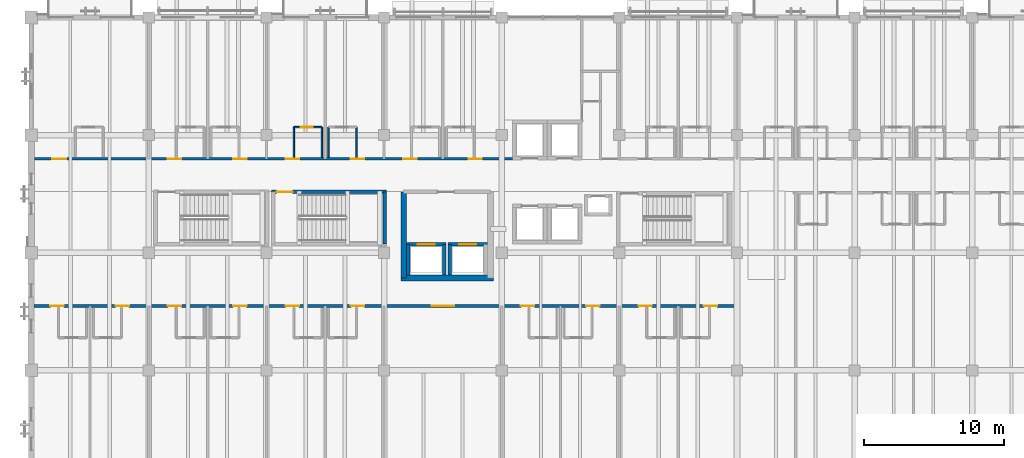
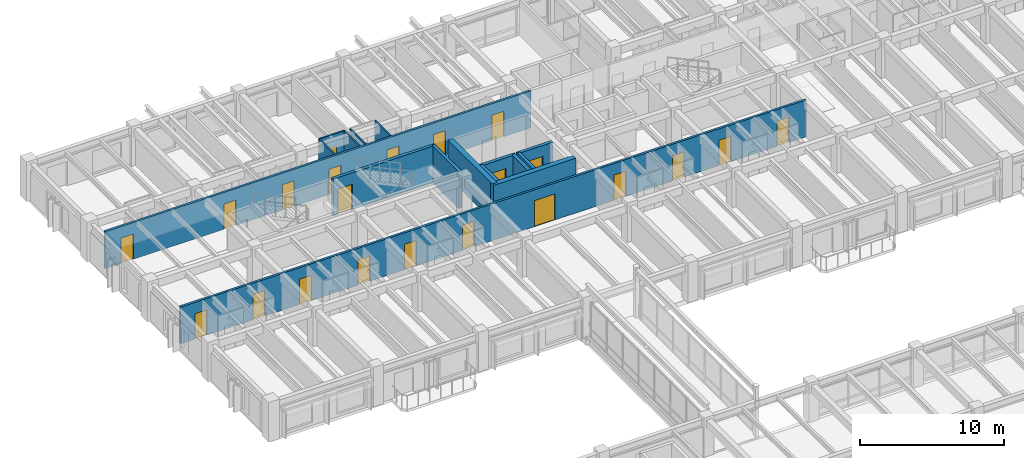
# One storey, part 86 of 123: 22 doors, 16 walls, 22 openings.
"""IFC4 building model written with IfcOpenShell, lengths in metres."""

from ifc_helpers import new_model, si_unit, direction, frame, frame_2d, origin, place, context, subcontext, project, spatial, rectangle, extrude, material, layer, layer_set, type_object, element, fill, save


model = new_model("IFC4")

# Units and contexts
model_context = context("Model", 3, precision=1e-05, world=origin(), true_north=direction((0.0, 1.0)))
body_context = subcontext(model_context, "Body", "Model", "MODEL_VIEW")
ifc_project = project(units=[si_unit("LENGTHUNIT", "METRE"), si_unit("AREAUNIT", "SQUARE_METRE"), si_unit("VOLUMEUNIT", "CUBIC_METRE"), si_unit("PLANEANGLEUNIT", "RADIAN"), si_unit("MASSUNIT", "GRAM", prefix="KILO")], contexts=[model_context])

# Site, building, storey
site_placement = place(None, origin())
site = spatial("IfcSite", under=ifc_project, at=site_placement, CompositionType="ELEMENT")
building_placement = place(site_placement, origin())
building = spatial("IfcBuilding", under=site, at=building_placement, Name="Cumbredor Promenade Congress Hotel", CompositionType="ELEMENT")
storey_placement = place(building_placement, frame((0.0, 0.0, 11.760009765625)))
storey = spatial("IfcBuildingStorey", under=building, at=storey_placement, Name="L03", CompositionType="ELEMENT", Elevation=11.760009765625)

# Walls
ifc_material_1 = material(Name="Concrete C50/60", Category="concrete")
ifc_layer_1 = layer(ifc_material_1, 0.39990234375, Name="Concrete C50/60", Category="concrete")
ifc_layer_set_1 = layer_set([ifc_layer_1], Name="Concrete C50/60")
wall_type_1 = type_object("IfcWallType", Name="Seismic Shear Core Wall 400mm", PredefinedType="SHEAR", material=ifc_layer_set_1)
wall_1_placement = place(storey_placement, frame((26.60009765625, 99.0, 0.0), z_axis=(0.0, 0.0, 1.0), x_axis=(0.0, 1.0, 0.0)))
element("IfcWall", 1, at=wall_1_placement, inside=storey, type_object=wall_type_1, Name="L03 Hotel Core Shear Wall W1", PredefinedType="SHEAR", context=body_context, shape_type="SweptSolid", body=[
    extrude(rectangle(XDim=6.14990234375, YDim=0.39990234375, at=frame_2d((3.074951171875, 0.0))), origin(), (0.0, 0.0, 1.0), 3.119873046875),
])
wall_2_placement = place(storey_placement, frame((26.39990234375, 99.0, 0.0), z_axis=(0.0, 0.0, 1.0), x_axis=(1.0, 0.0, 0.0)))
element("IfcWall", 2, at=wall_2_placement, inside=storey, type_object=wall_type_1, Name="L03 Hotel Core Shear Wall S1", PredefinedType="SHEAR", context=body_context, shape_type="SweptSolid", body=[
    extrude(rectangle(XDim=6.60009765625, YDim=0.39990234375, at=frame_2d((3.300048828125, 0.0))), origin(), (0.0, 0.0, 1.0), 3.119873046875),
])

# Wall, opening, door
ifc_material_2 = material(Name="Moisture-resistant gypsum board on steel studs", Category="steel")
ifc_layer_2 = layer(ifc_material_2, 0.114990234375, Name="Moisture-resistant gypsum board on steel studs", Category="steel")
ifc_layer_set_2 = layer_set([ifc_layer_2], Name="Moisture-resistant gypsum board on steel studs")
wall_type_2 = type_object("IfcWallType", Name="WL-BATH-115", PredefinedType="PARTITIONING", material=ifc_layer_set_2)
wall_3_placement = place(storey_placement, frame((18.760009765625, 109.77001953125, 0.0), z_axis=(0.0, 0.0, 1.0), x_axis=(1.0, 0.0, 0.0)))
wall_3 = element("IfcWall", 3, at=wall_3_placement, inside=storey, type_object=wall_type_2, Name="L03 Interior Partition W-L03-BH-0304", PredefinedType="PARTITIONING", context=body_context, shape_type="SweptSolid", body=[
    extrude(rectangle(XDim=2.0, YDim=0.114990234375, at=frame_2d((1.0, 0.0))), origin(), (0.0, 0.0, 1.0), 3.119873046875),
])
opening_1_placement = place(wall_3_placement, frame((0.5, 0.0, 0.0)))
opening_1 = element("IfcOpeningElement", 4, at=opening_1_placement, cuts=wall_3, Name="Opening ID-01", PredefinedType="OPENING", context=body_context, shape_type="SweptSolid", body=[
    extrude(rectangle(XDim=0.860107421875, YDim=2.050048828125, at=frame_2d((0.43017578125, 1.02490234375))), frame((0.0, 0.0673828125, 0.0), z_axis=(0.0, -1.0, 0.0), x_axis=(1.0, 0.0, 0.0)), (0.0, 0.0, 1.0), 0.135009765625),
])
ifc_material_3 = material(Name="Kiln-dried tropical hardwood", Category="wood")
door_type_1 = type_object("IfcDoorType", Name="DR-BATH-860", OperationType="NOTDEFINED", PredefinedType="DOOR", material=ifc_material_3)
door_1_placement = place(opening_1_placement, origin())
door_1 = element("IfcDoor", 5, at=door_1_placement, inside=storey, type_object=door_type_1, Name="L03 Interior Door W-L03-BH-0304-01", OperationType="SINGLE_SWING_RIGHT", OverallHeight=2.050048828125, OverallWidth=0.860107421875, PredefinedType="DOOR", context=body_context, shape_type="SweptSolid", body=[
    extrude(rectangle(XDim=0.860107421875, YDim=2.050048828125, at=frame_2d((0.43017578125, 1.02490234375))), frame((0.0, 0.02490234375, 0.0), z_axis=(0.0, -1.0, 0.0), x_axis=(1.0, 0.0, 0.0)), (0.0, 0.0, 1.0), 0.050048828125),
])
fill(opening_1, door_1)

# Walls
for number, where, z_axis, x_axis, name in (
    (6, (18.760009765625, 107.6201171875, 0.0), (0.0, 0.0, 1.0), (0.0, 1.0, 0.0), "L03 Interior Partition W-L03-BV1-0304"),
    (7, (20.760009765625, 107.6201171875, 0.0), (0.0, 0.0, 1.0), (0.0, 1.0, 0.0), "L03 Interior Partition W-L03-BV2-0304"),
    (8, (21.239990234375, 107.6201171875, 0.0), (0.0, 0.0, 1.0), (0.0, 1.0, 0.0), "L03 Interior Partition W-L03-BV1-0305"),
    (9, (23.239990234375, 107.6201171875, 0.0), (0.0, 0.0, 1.0), (0.0, 1.0, 0.0), "L03 Interior Partition W-L03-BV2-0305"),
):
    element("IfcWall", number, at=place(storey_placement, frame(where, z_axis=z_axis, x_axis=x_axis)), inside=storey, type_object=wall_type_2, Name=name, PredefinedType="PARTITIONING", context=body_context, shape_type="SweptSolid", body=[
        extrude(rectangle(XDim=2.14990234375, YDim=0.114990234375, at=frame_2d((1.074951171875, 0.0))), origin(), (0.0, 0.0, 1.0), 3.119873046875),
    ])

# Wall, openings, doors
ifc_material_4 = material(Name="Fire-rated hotel corridor wall")
ifc_layer_3 = layer(ifc_material_4, 0.179931640625, Name="Fire-rated hotel corridor wall")
ifc_layer_set_3 = layer_set([ifc_layer_3], Name="Fire-rated hotel corridor wall")
wall_type_3 = type_object("IfcWallType", Name="WL-CORR-180", PredefinedType="PARTITIONING", material=ifc_layer_set_3)
wall_4_placement = place(storey_placement, frame((0.22509765625, 107.5, 0.0), z_axis=(0.0, 0.0, 1.0), x_axis=(1.0, 0.0, 0.0)))
wall_4 = element("IfcWall", 10, at=wall_4_placement, inside=storey, type_object=wall_type_3, Name="L03 Interior Partition W-L03-CORR-NW", PredefinedType="PARTITIONING", context=body_context, shape_type="SweptSolid", body=[
    extrude(rectangle(XDim=34.14501953125, YDim=0.179931640625, at=frame_2d((17.072509765625, 0.0))), origin(), (0.0, 0.0, 1.0), 3.119873046875),
])
opening_2_placement = place(wall_4_placement, frame((1.27490234375, 0.0, 0.0)))
opening_2 = element("IfcOpeningElement", 11, at=opening_2_placement, cuts=wall_4, Name="Opening FD-02", PredefinedType="OPENING", context=body_context, shape_type="SweptSolid", body=[
    extrude(rectangle(XDim=1.02001953125, YDim=2.14990234375, at=frame_2d((0.510009765625, 1.074951171875))), frame((0.0, 0.10009765625, 0.0), z_axis=(0.0, -1.0, 0.0), x_axis=(1.0, 0.0, 0.0)), (0.0, 0.0, 1.0), 0.199951171875),
])
opening_3_placement = place(wall_4_placement, frame((9.544921875, 0.0, 0.0)))
opening_3 = element("IfcOpeningElement", 12, at=opening_3_placement, cuts=wall_4, Name="Opening FD-01", PredefinedType="OPENING", context=body_context, shape_type="SweptSolid", body=[
    extrude(rectangle(XDim=0.9599609375, YDim=2.14990234375, at=frame_2d((0.47998046875, 1.074951171875))), frame((0.0, 0.10009765625, 0.0), z_axis=(0.0, -1.0, 0.0), x_axis=(1.0, 0.0, 0.0)), (0.0, 0.0, 1.0), 0.199951171875),
])
opening_4_placement = place(wall_4_placement, frame((14.205078125, 0.0, 0.0)))
opening_4 = element("IfcOpeningElement", 13, at=opening_4_placement, cuts=wall_4, Name="Opening FD-01", PredefinedType="OPENING", context=body_context, shape_type="SweptSolid", body=[
    extrude(rectangle(XDim=0.9599609375, YDim=2.14990234375, at=frame_2d((0.47998046875, 1.074951171875))), frame((0.0, 0.10009765625, 0.0), z_axis=(0.0, -1.0, 0.0), x_axis=(1.0, 0.0, 0.0)), (0.0, 0.0, 1.0), 0.199951171875),
])
opening_5_placement = place(wall_4_placement, frame((17.945068359375, 0.0, 0.0)))
opening_5 = element("IfcOpeningElement", 14, at=opening_5_placement, cuts=wall_4, Name="Opening FD-01", PredefinedType="OPENING", context=body_context, shape_type="SweptSolid", body=[
    extrude(rectangle(XDim=0.9599609375, YDim=2.14990234375, at=frame_2d((0.47998046875, 1.074951171875))), frame((0.0, 0.10009765625, 0.0), z_axis=(0.0, -1.0, 0.0), x_axis=(1.0, 0.0, 0.0)), (0.0, 0.0, 1.0), 0.199951171875),
])
opening_6_placement = place(wall_4_placement, frame((22.60498046875, 0.0, 0.0)))
opening_6 = element("IfcOpeningElement", 15, at=opening_6_placement, cuts=wall_4, Name="Opening FD-01", PredefinedType="OPENING", context=body_context, shape_type="SweptSolid", body=[
    extrude(rectangle(XDim=0.9599609375, YDim=2.14990234375, at=frame_2d((0.47998046875, 1.074951171875))), frame((0.0, 0.10009765625, 0.0), z_axis=(0.0, -1.0, 0.0), x_axis=(1.0, 0.0, 0.0)), (0.0, 0.0, 1.0), 0.199951171875),
])
opening_7_placement = place(wall_4_placement, frame((26.344970703125, 0.0, 0.0)))
opening_7 = element("IfcOpeningElement", 16, at=opening_7_placement, cuts=wall_4, Name="Opening FD-01", PredefinedType="OPENING", context=body_context, shape_type="SweptSolid", body=[
    extrude(rectangle(XDim=0.9599609375, YDim=2.14990234375, at=frame_2d((0.47998046875, 1.074951171875))), frame((0.0, 0.10009765625, 0.0), z_axis=(0.0, -1.0, 0.0), x_axis=(1.0, 0.0, 0.0)), (0.0, 0.0, 1.0), 0.199951171875),
])
opening_8_placement = place(wall_4_placement, frame((31.0048828125, 0.0, 0.0)))
opening_8 = element("IfcOpeningElement", 17, at=opening_8_placement, cuts=wall_4, Name="Opening FD-01", PredefinedType="OPENING", context=body_context, shape_type="SweptSolid", body=[
    extrude(rectangle(XDim=0.9599609375, YDim=2.14990234375, at=frame_2d((0.47998046875, 1.074951171875))), frame((0.0, 0.10009765625, 0.0), z_axis=(0.0, -1.0, 0.0), x_axis=(1.0, 0.0, 0.0)), (0.0, 0.0, 1.0), 0.199951171875),
])
ifc_material_5 = material(Name="Solid-core fire-rated tropical hardwood", Category="wood")
door_type_2 = type_object("IfcDoorType", Name="DR-GUEST-FD30-1000", OperationType="NOTDEFINED", PredefinedType="DOOR", material=ifc_material_5)
door_2_placement = place(opening_2_placement, origin())
door_2 = element("IfcDoor", 18, at=door_2_placement, inside=storey, type_object=door_type_2, Name="L03 Interior Door W-L03-CORR-NW-01", OperationType="SINGLE_SWING_RIGHT", OverallHeight=2.14990234375, OverallWidth=1.02001953125, PredefinedType="DOOR", context=body_context, shape_type="SweptSolid", body=[
    extrude(rectangle(XDim=1.02001953125, YDim=2.14990234375, at=frame_2d((0.510009765625, 1.074951171875))), frame((0.0, 0.02490234375, 0.0), z_axis=(0.0, -1.0, 0.0), x_axis=(1.0, 0.0, 0.0)), (0.0, 0.0, 1.0), 0.050048828125),
])
fill(opening_2, door_2)
door_type_3 = type_object("IfcDoorType", Name="DR-GUEST-FD30-950", OperationType="NOTDEFINED", PredefinedType="DOOR", material=ifc_material_5)
door_3_placement = place(opening_3_placement, origin())
door_3 = element("IfcDoor", 19, at=door_3_placement, inside=storey, type_object=door_type_3, Name="L03 Interior Door W-L03-CORR-NW-02", OperationType="SINGLE_SWING_LEFT", OverallHeight=2.14990234375, OverallWidth=0.9599609375, PredefinedType="DOOR", context=body_context, shape_type="SweptSolid", body=[
    extrude(rectangle(XDim=0.9599609375, YDim=2.14990234375, at=frame_2d((0.47998046875, 1.074951171875))), frame((0.0, 0.02490234375, 0.0), z_axis=(0.0, -1.0, 0.0), x_axis=(1.0, 0.0, 0.0)), (0.0, 0.0, 1.0), 0.050048828125),
])
fill(opening_3, door_3)
door_4_placement = place(opening_4_placement, origin())
door_4 = element("IfcDoor", 20, at=door_4_placement, inside=storey, type_object=door_type_3, Name="L03 Interior Door W-L03-CORR-NW-03", OperationType="SINGLE_SWING_RIGHT", OverallHeight=2.14990234375, OverallWidth=0.9599609375, PredefinedType="DOOR", context=body_context, shape_type="SweptSolid", body=[
    extrude(rectangle(XDim=0.9599609375, YDim=2.14990234375, at=frame_2d((0.47998046875, 1.074951171875))), frame((0.0, 0.02490234375, 0.0), z_axis=(0.0, -1.0, 0.0), x_axis=(1.0, 0.0, 0.0)), (0.0, 0.0, 1.0), 0.050048828125),
])
fill(opening_4, door_4)
door_5_placement = place(opening_5_placement, origin())
door_5 = element("IfcDoor", 21, at=door_5_placement, inside=storey, type_object=door_type_3, Name="L03 Interior Door W-L03-CORR-NW-04", OperationType="SINGLE_SWING_LEFT", OverallHeight=2.14990234375, OverallWidth=0.9599609375, PredefinedType="DOOR", context=body_context, shape_type="SweptSolid", body=[
    extrude(rectangle(XDim=0.9599609375, YDim=2.14990234375, at=frame_2d((0.47998046875, 1.074951171875))), frame((0.0, 0.02490234375, 0.0), z_axis=(0.0, -1.0, 0.0), x_axis=(1.0, 0.0, 0.0)), (0.0, 0.0, 1.0), 0.050048828125),
])
fill(opening_5, door_5)
door_6_placement = place(opening_6_placement, origin())
door_6 = element("IfcDoor", 22, at=door_6_placement, inside=storey, type_object=door_type_3, Name="L03 Interior Door W-L03-CORR-NW-05", OperationType="SINGLE_SWING_RIGHT", OverallHeight=2.14990234375, OverallWidth=0.9599609375, PredefinedType="DOOR", context=body_context, shape_type="SweptSolid", body=[
    extrude(rectangle(XDim=0.9599609375, YDim=2.14990234375, at=frame_2d((0.47998046875, 1.074951171875))), frame((0.0, 0.02490234375, 0.0), z_axis=(0.0, -1.0, 0.0), x_axis=(1.0, 0.0, 0.0)), (0.0, 0.0, 1.0), 0.050048828125),
])
fill(opening_6, door_6)
door_7_placement = place(opening_7_placement, origin())
door_7 = element("IfcDoor", 23, at=door_7_placement, inside=storey, type_object=door_type_3, Name="L03 Interior Door W-L03-CORR-NW-06", OperationType="SINGLE_SWING_LEFT", OverallHeight=2.14990234375, OverallWidth=0.9599609375, PredefinedType="DOOR", context=body_context, shape_type="SweptSolid", body=[
    extrude(rectangle(XDim=0.9599609375, YDim=2.14990234375, at=frame_2d((0.47998046875, 1.074951171875))), frame((0.0, 0.02490234375, 0.0), z_axis=(0.0, -1.0, 0.0), x_axis=(1.0, 0.0, 0.0)), (0.0, 0.0, 1.0), 0.050048828125),
])
fill(opening_7, door_7)
door_8_placement = place(opening_8_placement, origin())
door_8 = element("IfcDoor", 24, at=door_8_placement, inside=storey, type_object=door_type_3, Name="L03 Interior Door W-L03-CORR-NW-07", OperationType="SINGLE_SWING_RIGHT", OverallHeight=2.14990234375, OverallWidth=0.9599609375, PredefinedType="DOOR", context=body_context, shape_type="SweptSolid", body=[
    extrude(rectangle(XDim=0.9599609375, YDim=2.14990234375, at=frame_2d((0.47998046875, 1.074951171875))), frame((0.0, 0.02490234375, 0.0), z_axis=(0.0, -1.0, 0.0), x_axis=(1.0, 0.0, 0.0)), (0.0, 0.0, 1.0), 0.050048828125),
])
fill(opening_8, door_8)

wall_5_placement = place(storey_placement, frame((0.21240234375, 97.0, 0.0), z_axis=(0.0, 0.0, 1.0), x_axis=(1.0, 0.0, 0.0)))
wall_5 = element("IfcWall", 25, at=wall_5_placement, inside=storey, type_object=wall_type_3, Name="L03 Interior Partition W-L03-SC-CORRW", PredefinedType="PARTITIONING", context=body_context, shape_type="SweptSolid", body=[
    extrude(rectangle(XDim=50.1875, YDim=0.179931640625, at=frame_2d((25.09375, 0.0))), origin(), (0.0, 0.0, 1.0), 3.119873046875),
])
opening_9_placement = place(wall_5_placement, frame((1.157958984375, 0.0, 0.0)))
opening_9 = element("IfcOpeningElement", 26, at=opening_9_placement, cuts=wall_5, Name="Opening FD-01", PredefinedType="OPENING", context=body_context, shape_type="SweptSolid", body=[
    extrude(rectangle(XDim=0.9599609375, YDim=2.14990234375, at=frame_2d((0.47998046875, 1.074951171875))), frame((0.0, 0.10009765625, 0.0), z_axis=(0.0, -1.0, 0.0), x_axis=(1.0, 0.0, 0.0)), (0.0, 0.0, 1.0), 0.199951171875),
])
opening_10_placement = place(wall_5_placement, frame((5.81689453125, 0.0, 0.0)))
opening_10 = element("IfcOpeningElement", 27, at=opening_10_placement, cuts=wall_5, Name="Opening FD-01", PredefinedType="OPENING", context=body_context, shape_type="SweptSolid", body=[
    extrude(rectangle(XDim=0.9599609375, YDim=2.14990234375, at=frame_2d((0.47998046875, 1.074951171875))), frame((0.0, 0.10009765625, 0.0), z_axis=(0.0, -1.0, 0.0), x_axis=(1.0, 0.0, 0.0)), (0.0, 0.0, 1.0), 0.199951171875),
])
opening_11_placement = place(wall_5_placement, frame((9.556884765625, 0.0, 0.0)))
opening_11 = element("IfcOpeningElement", 28, at=opening_11_placement, cuts=wall_5, Name="Opening FD-01", PredefinedType="OPENING", context=body_context, shape_type="SweptSolid", body=[
    extrude(rectangle(XDim=0.9599609375, YDim=2.14990234375, at=frame_2d((0.47998046875, 1.074951171875))), frame((0.0, 0.10009765625, 0.0), z_axis=(0.0, -1.0, 0.0), x_axis=(1.0, 0.0, 0.0)), (0.0, 0.0, 1.0), 0.199951171875),
])
opening_12_placement = place(wall_5_placement, frame((14.217041015625, 0.0, 0.0)))
opening_12 = element("IfcOpeningElement", 29, at=opening_12_placement, cuts=wall_5, Name="Opening FD-01", PredefinedType="OPENING", context=body_context, shape_type="SweptSolid", body=[
    extrude(rectangle(XDim=0.9599609375, YDim=2.14990234375, at=frame_2d((0.47998046875, 1.074951171875))), frame((0.0, 0.10009765625, 0.0), z_axis=(0.0, -1.0, 0.0), x_axis=(1.0, 0.0, 0.0)), (0.0, 0.0, 1.0), 0.199951171875),
])
opening_13_placement = place(wall_5_placement, frame((17.9580078125, 0.0, 0.0)))
opening_13 = element("IfcOpeningElement", 30, at=opening_13_placement, cuts=wall_5, Name="Opening FD-01", PredefinedType="OPENING", context=body_context, shape_type="SweptSolid", body=[
    extrude(rectangle(XDim=0.9599609375, YDim=2.14990234375, at=frame_2d((0.47998046875, 1.074951171875))), frame((0.0, 0.10009765625, 0.0), z_axis=(0.0, -1.0, 0.0), x_axis=(1.0, 0.0, 0.0)), (0.0, 0.0, 1.0), 0.199951171875),
])
opening_14_placement = place(wall_5_placement, frame((22.616943359375, 0.0, 0.0)))
opening_14 = element("IfcOpeningElement", 31, at=opening_14_placement, cuts=wall_5, Name="Opening FD-01", PredefinedType="OPENING", context=body_context, shape_type="SweptSolid", body=[
    extrude(rectangle(XDim=0.9599609375, YDim=2.14990234375, at=frame_2d((0.47998046875, 1.074951171875))), frame((0.0, 0.10009765625, 0.0), z_axis=(0.0, -1.0, 0.0), x_axis=(1.0, 0.0, 0.0)), (0.0, 0.0, 1.0), 0.199951171875),
])
opening_15_placement = place(wall_5_placement, frame((28.386962890625, 0.0, 0.0)))
opening_15 = element("IfcOpeningElement", 32, at=opening_15_placement, cuts=wall_5, Name="Opening FD-08", PredefinedType="OPENING", context=body_context, shape_type="SweptSolid", body=[
    extrude(rectangle(XDim=1.6201171875, YDim=2.199951171875, at=frame_2d((0.81005859375, 1.10009765625))), frame((0.0, 0.10009765625, 0.0), z_axis=(0.0, -1.0, 0.0), x_axis=(1.0, 0.0, 0.0)), (0.0, 0.0, 1.0), 0.199951171875),
])
opening_16_placement = place(wall_5_placement, frame((34.758056640625, 0.0, 0.0)))
opening_16 = element("IfcOpeningElement", 33, at=opening_16_placement, cuts=wall_5, Name="Opening FD-01", PredefinedType="OPENING", context=body_context, shape_type="SweptSolid", body=[
    extrude(rectangle(XDim=0.9599609375, YDim=2.14990234375, at=frame_2d((0.47998046875, 1.074951171875))), frame((0.0, 0.10009765625, 0.0), z_axis=(0.0, -1.0, 0.0), x_axis=(1.0, 0.0, 0.0)), (0.0, 0.0, 1.0), 0.199951171875),
])
opening_17_placement = place(wall_5_placement, frame((39.41796875, 0.0, 0.0)))
opening_17 = element("IfcOpeningElement", 34, at=opening_17_placement, cuts=wall_5, Name="Opening FD-01", PredefinedType="OPENING", context=body_context, shape_type="SweptSolid", body=[
    extrude(rectangle(XDim=0.9599609375, YDim=2.14990234375, at=frame_2d((0.47998046875, 1.074951171875))), frame((0.0, 0.10009765625, 0.0), z_axis=(0.0, -1.0, 0.0), x_axis=(1.0, 0.0, 0.0)), (0.0, 0.0, 1.0), 0.199951171875),
])
opening_18_placement = place(wall_5_placement, frame((43.156982421875, 0.0, 0.0)))
opening_18 = element("IfcOpeningElement", 35, at=opening_18_placement, cuts=wall_5, Name="Opening FD-01", PredefinedType="OPENING", context=body_context, shape_type="SweptSolid", body=[
    extrude(rectangle(XDim=0.9599609375, YDim=2.14990234375, at=frame_2d((0.47998046875, 1.074951171875))), frame((0.0, 0.10009765625, 0.0), z_axis=(0.0, -1.0, 0.0), x_axis=(1.0, 0.0, 0.0)), (0.0, 0.0, 1.0), 0.199951171875),
])
opening_19_placement = place(wall_5_placement, frame((47.818115234375, 0.0, 0.0)))
opening_19 = element("IfcOpeningElement", 36, at=opening_19_placement, cuts=wall_5, Name="Opening FD-01", PredefinedType="OPENING", context=body_context, shape_type="SweptSolid", body=[
    extrude(rectangle(XDim=0.9599609375, YDim=2.14990234375, at=frame_2d((0.47998046875, 1.074951171875))), frame((0.0, 0.10009765625, 0.0), z_axis=(0.0, -1.0, 0.0), x_axis=(1.0, 0.0, 0.0)), (0.0, 0.0, 1.0), 0.199951171875),
])
door_type_4 = type_object("IfcDoorType", Name="DR-DBL-FD60-1600", OperationType="DOUBLE_DOOR_SINGLE_SWING", PredefinedType="DOOR", material=ifc_material_5)
door_9_placement = place(opening_15_placement, origin())
door_9 = element("IfcDoor", 37, at=door_9_placement, inside=storey, type_object=door_type_4, Name="L03 Interior Door W-L03-SC-CORRW-07", OperationType="DOUBLE_DOOR_SINGLE_SWING", OverallHeight=2.199951171875, OverallWidth=1.6201171875, PredefinedType="DOOR", context=body_context, shape_type="SweptSolid", body=[
    extrude(rectangle(XDim=1.6201171875, YDim=2.199951171875, at=frame_2d((0.81005859375, 1.10009765625))), frame((0.0, 0.02490234375, 0.0), z_axis=(0.0, -1.0, 0.0), x_axis=(1.0, 0.0, 0.0)), (0.0, 0.0, 1.0), 0.050048828125),
])
fill(opening_15, door_9)
door_10_placement = place(opening_9_placement, origin())
door_10 = element("IfcDoor", 38, at=door_10_placement, inside=storey, type_object=door_type_3, Name="L03 Interior Door W-L03-SC-CORRW-01", OperationType="SINGLE_SWING_RIGHT", OverallHeight=2.14990234375, OverallWidth=0.9599609375, PredefinedType="DOOR", context=body_context, shape_type="SweptSolid", body=[
    extrude(rectangle(XDim=0.9599609375, YDim=2.14990234375, at=frame_2d((0.47998046875, 1.074951171875))), frame((0.0, 0.02490234375, 0.0), z_axis=(0.0, -1.0, 0.0), x_axis=(1.0, 0.0, 0.0)), (0.0, 0.0, 1.0), 0.050048828125),
])
fill(opening_9, door_10)
door_11_placement = place(opening_10_placement, origin())
door_11 = element("IfcDoor", 39, at=door_11_placement, inside=storey, type_object=door_type_3, Name="L03 Interior Door W-L03-SC-CORRW-02", OperationType="SINGLE_SWING_LEFT", OverallHeight=2.14990234375, OverallWidth=0.9599609375, PredefinedType="DOOR", context=body_context, shape_type="SweptSolid", body=[
    extrude(rectangle(XDim=0.9599609375, YDim=2.14990234375, at=frame_2d((0.47998046875, 1.074951171875))), frame((0.0, 0.02490234375, 0.0), z_axis=(0.0, -1.0, 0.0), x_axis=(1.0, 0.0, 0.0)), (0.0, 0.0, 1.0), 0.050048828125),
])
fill(opening_10, door_11)
door_12_placement = place(opening_11_placement, origin())
door_12 = element("IfcDoor", 40, at=door_12_placement, inside=storey, type_object=door_type_3, Name="L03 Interior Door W-L03-SC-CORRW-03", OperationType="SINGLE_SWING_RIGHT", OverallHeight=2.14990234375, OverallWidth=0.9599609375, PredefinedType="DOOR", context=body_context, shape_type="SweptSolid", body=[
    extrude(rectangle(XDim=0.9599609375, YDim=2.14990234375, at=frame_2d((0.47998046875, 1.074951171875))), frame((0.0, 0.02490234375, 0.0), z_axis=(0.0, -1.0, 0.0), x_axis=(1.0, 0.0, 0.0)), (0.0, 0.0, 1.0), 0.050048828125),
])
fill(opening_11, door_12)
door_13_placement = place(opening_12_placement, origin())
door_13 = element("IfcDoor", 41, at=door_13_placement, inside=storey, type_object=door_type_3, Name="L03 Interior Door W-L03-SC-CORRW-04", OperationType="SINGLE_SWING_LEFT", OverallHeight=2.14990234375, OverallWidth=0.9599609375, PredefinedType="DOOR", context=body_context, shape_type="SweptSolid", body=[
    extrude(rectangle(XDim=0.9599609375, YDim=2.14990234375, at=frame_2d((0.47998046875, 1.074951171875))), frame((0.0, 0.02490234375, 0.0), z_axis=(0.0, -1.0, 0.0), x_axis=(1.0, 0.0, 0.0)), (0.0, 0.0, 1.0), 0.050048828125),
])
fill(opening_12, door_13)
door_14_placement = place(opening_13_placement, origin())
door_14 = element("IfcDoor", 42, at=door_14_placement, inside=storey, type_object=door_type_3, Name="L03 Interior Door W-L03-SC-CORRW-05", OperationType="SINGLE_SWING_RIGHT", OverallHeight=2.14990234375, OverallWidth=0.9599609375, PredefinedType="DOOR", context=body_context, shape_type="SweptSolid", body=[
    extrude(rectangle(XDim=0.9599609375, YDim=2.14990234375, at=frame_2d((0.47998046875, 1.074951171875))), frame((0.0, 0.02490234375, 0.0), z_axis=(0.0, -1.0, 0.0), x_axis=(1.0, 0.0, 0.0)), (0.0, 0.0, 1.0), 0.050048828125),
])
fill(opening_13, door_14)
door_15_placement = place(opening_14_placement, origin())
door_15 = element("IfcDoor", 43, at=door_15_placement, inside=storey, type_object=door_type_3, Name="L03 Interior Door W-L03-SC-CORRW-06", OperationType="SINGLE_SWING_LEFT", OverallHeight=2.14990234375, OverallWidth=0.9599609375, PredefinedType="DOOR", context=body_context, shape_type="SweptSolid", body=[
    extrude(rectangle(XDim=0.9599609375, YDim=2.14990234375, at=frame_2d((0.47998046875, 1.074951171875))), frame((0.0, 0.02490234375, 0.0), z_axis=(0.0, -1.0, 0.0), x_axis=(1.0, 0.0, 0.0)), (0.0, 0.0, 1.0), 0.050048828125),
])
fill(opening_14, door_15)
door_16_placement = place(opening_16_placement, origin())
door_16 = element("IfcDoor", 44, at=door_16_placement, inside=storey, type_object=door_type_3, Name="L03 Interior Door W-L03-SC-CORRW-08", OperationType="SINGLE_SWING_RIGHT", OverallHeight=2.14990234375, OverallWidth=0.9599609375, PredefinedType="DOOR", context=body_context, shape_type="SweptSolid", body=[
    extrude(rectangle(XDim=0.9599609375, YDim=2.14990234375, at=frame_2d((0.47998046875, 1.074951171875))), frame((0.0, 0.02490234375, 0.0), z_axis=(0.0, -1.0, 0.0), x_axis=(1.0, 0.0, 0.0)), (0.0, 0.0, 1.0), 0.050048828125),
])
fill(opening_16, door_16)
door_17_placement = place(opening_17_placement, origin())
door_17 = element("IfcDoor", 45, at=door_17_placement, inside=storey, type_object=door_type_3, Name="L03 Interior Door W-L03-SC-CORRW-09", OperationType="SINGLE_SWING_LEFT", OverallHeight=2.14990234375, OverallWidth=0.9599609375, PredefinedType="DOOR", context=body_context, shape_type="SweptSolid", body=[
    extrude(rectangle(XDim=0.9599609375, YDim=2.14990234375, at=frame_2d((0.47998046875, 1.074951171875))), frame((0.0, 0.02490234375, 0.0), z_axis=(0.0, -1.0, 0.0), x_axis=(1.0, 0.0, 0.0)), (0.0, 0.0, 1.0), 0.050048828125),
])
fill(opening_17, door_17)
door_18_placement = place(opening_18_placement, origin())
door_18 = element("IfcDoor", 46, at=door_18_placement, inside=storey, type_object=door_type_3, Name="L03 Interior Door W-L03-SC-CORRW-10", OperationType="SINGLE_SWING_RIGHT", OverallHeight=2.14990234375, OverallWidth=0.9599609375, PredefinedType="DOOR", context=body_context, shape_type="SweptSolid", body=[
    extrude(rectangle(XDim=0.9599609375, YDim=2.14990234375, at=frame_2d((0.47998046875, 1.074951171875))), frame((0.0, 0.02490234375, 0.0), z_axis=(0.0, -1.0, 0.0), x_axis=(1.0, 0.0, 0.0)), (0.0, 0.0, 1.0), 0.050048828125),
])
fill(opening_18, door_18)
door_19_placement = place(opening_19_placement, origin())
door_19 = element("IfcDoor", 47, at=door_19_placement, inside=storey, type_object=door_type_3, Name="L03 Interior Door W-L03-SC-CORRW-11", OperationType="SINGLE_SWING_LEFT", OverallHeight=2.14990234375, OverallWidth=0.9599609375, PredefinedType="DOOR", context=body_context, shape_type="SweptSolid", body=[
    extrude(rectangle(XDim=0.9599609375, YDim=2.14990234375, at=frame_2d((0.47998046875, 1.074951171875))), frame((0.0, 0.02490234375, 0.0), z_axis=(0.0, -1.0, 0.0), x_axis=(1.0, 0.0, 0.0)), (0.0, 0.0, 1.0), 0.050048828125),
])
fill(opening_19, door_19)

# Wall, opening, door
ifc_material_6 = material(Name="Concrete C40/50", Category="concrete")
ifc_layer_4 = layer(ifc_material_6, 0.2548828125, Name="Concrete C40/50", Category="concrete")
ifc_layer_set_4 = layer_set([ifc_layer_4], Name="Concrete C40/50")
wall_type_4 = type_object("IfcWallType", Name="WL-SHAFT-250", PredefinedType="SOLIDWALL", material=ifc_layer_set_4)
wall_6_placement = place(storey_placement, frame((17.152587890625, 105.14990234375, 0.0), z_axis=(0.0, 0.0, 1.0), x_axis=(1.0, 0.0, 0.0)))
wall_6 = element("IfcWall", 48, at=wall_6_placement, inside=storey, type_object=wall_type_4, Name="STAIR-ST-02-L03 Shaft Wall North", PredefinedType="SOLIDWALL", context=body_context, shape_type="SweptSolid", body=[
    extrude(rectangle(XDim=8.224853515625, YDim=0.2548828125, at=frame_2d((4.1123046875, 0.0))), origin(), (0.0, 0.0, 1.0), 3.119873046875),
])
opening_20_placement = place(wall_6_placement, frame((0.35009765625, 0.0, 0.0)))
opening_20 = element("IfcOpeningElement", 49, at=opening_20_placement, cuts=wall_6, Name="Opening SD-01", PredefinedType="OPENING", context=body_context, shape_type="SweptSolid", body=[
    extrude(rectangle(XDim=1.159912109375, YDim=2.14990234375, at=frame_2d((0.580078125, 1.074951171875))), frame((0.0, 0.137451171875, 0.0), z_axis=(0.0, -1.0, 0.0), x_axis=(1.0, 0.0, 0.0)), (0.0, 0.0, 1.0), 0.27490234375),
])
ifc_material_7 = material(Name="Painted galvanized steel fire door", Category="steel")
door_type_5 = type_object("IfcDoorType", Name="DR-STAIR-FD90-1150", OperationType="NOTDEFINED", PredefinedType="DOOR", material=ifc_material_7)
door_20_placement = place(opening_20_placement, origin())
door_20 = element("IfcDoor", 50, at=door_20_placement, inside=storey, type_object=door_type_5, Name="L03 Protected Exit Stair ST-02 Door", OperationType="SINGLE_SWING_RIGHT", OverallHeight=2.14990234375, OverallWidth=1.159912109375, PredefinedType="DOOR", context=body_context, shape_type="SweptSolid", body=[
    extrude(rectangle(XDim=1.159912109375, YDim=2.14990234375, at=frame_2d((0.580078125, 1.074951171875))), frame((0.0, 0.02490234375, 0.0), z_axis=(0.0, -1.0, 0.0), x_axis=(1.0, 0.0, 0.0)), (0.0, 0.0, 1.0), 0.050048828125),
])
fill(opening_20, door_20)

# Wall
wall_7_placement = place(storey_placement, frame((25.25, 101.419921875, 0.0), z_axis=(0.0, 0.0, 1.0), x_axis=(0.0, 1.0, 0.0)))
element("IfcWall", 51, at=wall_7_placement, inside=storey, type_object=wall_type_4, Name="STAIR-ST-02-L03 Shaft Wall East", PredefinedType="SOLIDWALL", context=body_context, shape_type="SweptSolid", body=[
    extrude(rectangle(XDim=3.72998046875, YDim=0.2548828125, at=frame_2d((1.864990234375, 0.0))), origin(), (0.0, 0.0, 1.0), 3.119873046875),
])

# Wall, opening, door
wall_8_placement = place(storey_placement, frame((26.802490234375, 101.39990234375, 0.0), z_axis=(0.0, 0.0, 1.0), x_axis=(1.0, 0.0, 0.0)))
wall_8 = element("IfcWall", 52, at=wall_8_placement, inside=storey, type_object=wall_type_4, Name="SHAFT-FF-01-L03 Shaft Wall North", PredefinedType="SOLIDWALL", context=body_context, shape_type="SweptSolid", body=[
    extrude(rectangle(XDim=2.824951171875, YDim=0.2548828125, at=frame_2d((1.41259765625, 0.0))), origin(), (0.0, 0.0, 1.0), 3.119873046875),
])
opening_21_placement = place(wall_8_placement, frame((0.8125, 0.0, 0.0)))
opening_21 = element("IfcOpeningElement", 53, at=opening_21_placement, cuts=wall_8, Name="Opening LD-02", PredefinedType="OPENING", context=body_context, shape_type="SweptSolid", body=[
    extrude(rectangle(XDim=1.199951171875, YDim=2.199951171875, at=frame_2d((0.60009765625, 1.10009765625))), frame((0.0, 0.137451171875, 0.0), z_axis=(0.0, -1.0, 0.0), x_axis=(1.0, 0.0, 0.0)), (0.0, 0.0, 1.0), 0.27490234375),
])
ifc_material_8 = material(Name="Brushed stainless steel", Category="steel")
door_type_6 = type_object("IfcDoorType", Name="Firefighting Lift Sliding Door LD-02 1200x2200", OperationType="DOUBLE_DOOR_SLIDING", PredefinedType="DOOR", material=ifc_material_8)
door_21_placement = place(opening_21_placement, origin())
door_21 = element("IfcDoor", 54, at=door_21_placement, inside=storey, type_object=door_type_6, Name="L03 Firefighting Lift FF-01 Sliding Landing Door", OperationType="DOUBLE_DOOR_SLIDING", OverallHeight=2.199951171875, OverallWidth=1.199951171875, PredefinedType="DOOR", context=body_context, shape_type="SweptSolid", body=[
    extrude(rectangle(XDim=1.199951171875, YDim=2.199951171875, at=frame_2d((0.60009765625, 1.10009765625))), frame((0.0, 0.02490234375, 0.0), z_axis=(0.0, -1.0, 0.0), x_axis=(1.0, 0.0, 0.0)), (0.0, 0.0, 1.0), 0.050048828125),
])
fill(opening_21, door_21)

# Walls
for number, where, z_axis, x_axis, name in (
    (55, (26.929931640625, 99.199951171875, 0.0), (0.0, 0.0, 1.0), (0.0, 1.0, 0.0), "SHAFT-FF-01-L03 Shaft Wall West"),
    (56, (29.5, 99.199951171875, 0.0), (0.0, 0.0, 1.0), (0.0, 1.0, 0.0), "SHAFT-FF-01-L03 Shaft Wall East"),
):
    element("IfcWall", number, at=place(storey_placement, frame(where, z_axis=z_axis, x_axis=x_axis)), inside=storey, type_object=wall_type_4, Name=name, PredefinedType="SOLIDWALL", context=body_context, shape_type="SweptSolid", body=[
        extrude(rectangle(XDim=2.199951171875, YDim=0.2548828125, at=frame_2d((1.10009765625, 0.0))), origin(), (0.0, 0.0, 1.0), 3.119873046875),
    ])

# Wall, opening, door
wall_9_placement = place(storey_placement, frame((29.7724609375, 101.39990234375, 0.0), z_axis=(0.0, 0.0, 1.0), x_axis=(1.0, 0.0, 0.0)))
wall_9 = element("IfcWall", 57, at=wall_9_placement, inside=storey, type_object=wall_type_4, Name="SHAFT-FF-02-L03 Shaft Wall North", PredefinedType="SOLIDWALL", context=body_context, shape_type="SweptSolid", body=[
    extrude(rectangle(XDim=2.824951171875, YDim=0.2548828125, at=frame_2d((1.41259765625, 0.0))), origin(), (0.0, 0.0, 1.0), 3.119873046875),
])
opening_22_placement = place(wall_9_placement, frame((0.8125, 0.0, 0.0)))
opening_22 = element("IfcOpeningElement", 58, at=opening_22_placement, cuts=wall_9, Name="Opening LD-02", PredefinedType="OPENING", context=body_context, shape_type="SweptSolid", body=[
    extrude(rectangle(XDim=1.199951171875, YDim=2.199951171875, at=frame_2d((0.60009765625, 1.10009765625))), frame((0.0, 0.137451171875, 0.0), z_axis=(0.0, -1.0, 0.0), x_axis=(1.0, 0.0, 0.0)), (0.0, 0.0, 1.0), 0.27490234375),
])
door_22_placement = place(opening_22_placement, origin())
door_22 = element("IfcDoor", 59, at=door_22_placement, inside=storey, type_object=door_type_6, Name="L03 Firefighting Lift FF-02 Sliding Landing Door", OperationType="DOUBLE_DOOR_SLIDING", OverallHeight=2.199951171875, OverallWidth=1.199951171875, PredefinedType="DOOR", context=body_context, shape_type="SweptSolid", body=[
    extrude(rectangle(XDim=1.199951171875, YDim=2.199951171875, at=frame_2d((0.60009765625, 1.10009765625))), frame((0.0, 0.02490234375, 0.0), z_axis=(0.0, -1.0, 0.0), x_axis=(1.0, 0.0, 0.0)), (0.0, 0.0, 1.0), 0.050048828125),
])
fill(opening_22, door_22)

# Wall
wall_10_placement = place(storey_placement, frame((29.89990234375, 99.199951171875, 0.0), z_axis=(0.0, 0.0, 1.0), x_axis=(0.0, 1.0, 0.0)))
element("IfcWall", 60, at=wall_10_placement, inside=storey, type_object=wall_type_4, Name="SHAFT-FF-02-L03 Shaft Wall West", PredefinedType="SOLIDWALL", context=body_context, shape_type="SweptSolid", body=[
    extrude(rectangle(XDim=2.199951171875, YDim=0.2548828125, at=frame_2d((1.10009765625, 0.0))), origin(), (0.0, 0.0, 1.0), 3.119873046875),
])

save(model, "model.ifc")
